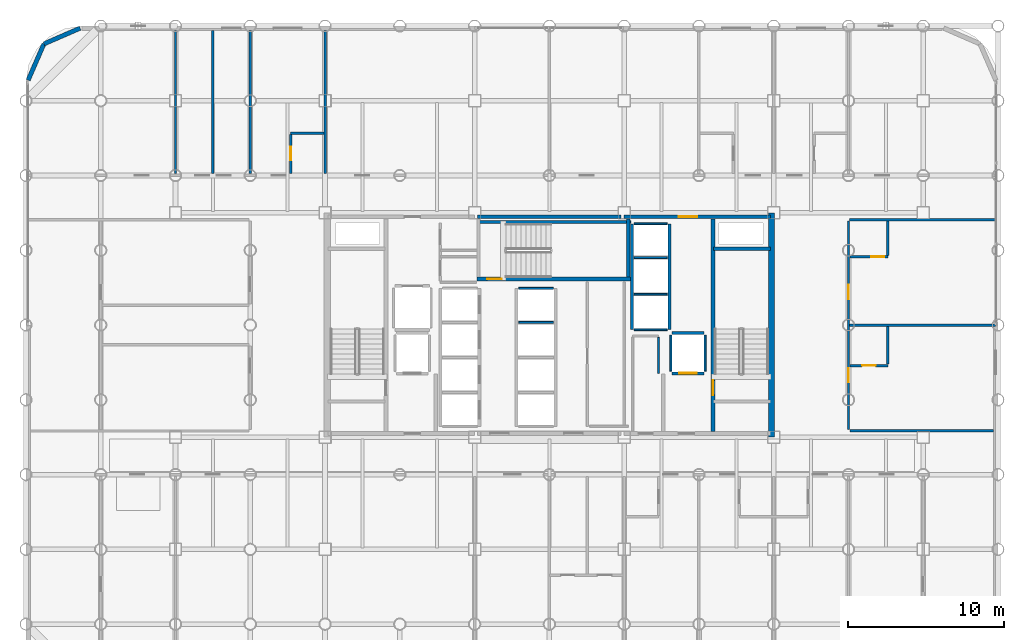
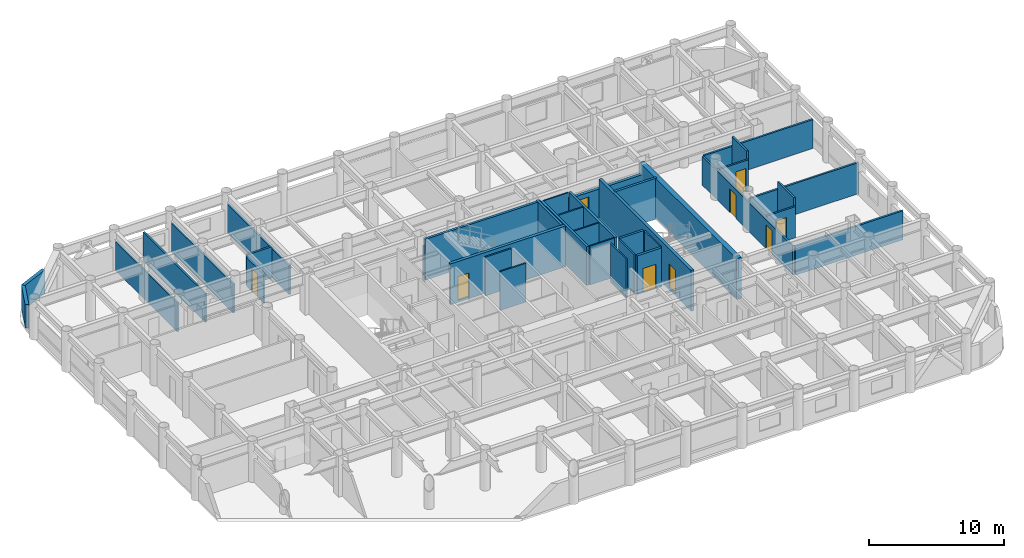
# One storey, part 18 of 22: 37 walls, 9 doors, 9 openings.
"""IFC4 building model written with IfcOpenShell, lengths in metres."""

from ifc_helpers import new_model, si_unit, direction, frame, frame_2d, origin, place, context, subcontext, project, spatial, rectangle, extrude, material, layer, layer_set, type_object, element, fill, save


model = new_model("IFC4")

# Units and contexts
model_context = context("Model", 3, precision=1e-05, world=origin(), true_north=direction((0.0, 1.0)))
body_context = subcontext(model_context, "Body", "Model", "MODEL_VIEW")
ifc_project = project(units=[si_unit("LENGTHUNIT", "METRE"), si_unit("AREAUNIT", "SQUARE_METRE"), si_unit("VOLUMEUNIT", "CUBIC_METRE"), si_unit("PLANEANGLEUNIT", "RADIAN"), si_unit("MASSUNIT", "GRAM", prefix="KILO")], contexts=[model_context])

# Site, building, storey
site_placement = place(None, origin())
site = spatial("IfcSite", under=ifc_project, at=site_placement, CompositionType="ELEMENT")
building_placement = place(site_placement, origin())
building = spatial("IfcBuilding", under=site, at=building_placement, Name="Kallvorn Hotel Tower", CompositionType="ELEMENT")
storey_placement = place(building_placement, frame((0.0, 0.0, 48.5)))
storey = spatial("IfcBuildingStorey", under=building, at=storey_placement, Name="L10", CompositionType="ELEMENT", Elevation=48.5)

# Walls
ifc_material_1 = material(Name="Concrete C50/60", Category="concrete")
ifc_layer_1 = layer(ifc_material_1, 0.39990234375)
ifc_layer_set_1 = layer_set([ifc_layer_1], Name="WL_CORE_400")
wall_type_1 = type_object("IfcWallType", Name="WL_CORE_400", PredefinedType="SHEAR", material=ifc_layer_set_1)
wall_1_placement = place(storey_placement, frame((14.264892578125, -7.199951171875, -0.179931640625), z_axis=(0.0, 0.0, 1.0), x_axis=(0.0, 1.0, 0.0)))
element("IfcWall", 1, at=wall_1_placement, inside=storey, type_object=wall_type_1, Name="L10 Core East Shear Wall", PredefinedType="SHEAR", context=body_context, shape_type="SweptSolid", body=[
    extrude(rectangle(XDim=14.39990234375, YDim=0.39990234375, at=frame_2d((7.199951171875, 0.0))), origin(), (0.0, 0.0, 1.0), 3.699951171875),
])
ifc_material_2 = material(Name="Fire-rated double-layer acoustic gypsum drywall EI 60")
ifc_layer_2 = layer(ifc_material_2, 0.159912109375)
ifc_layer_set_2 = layer_set([ifc_layer_2], Name="WL_DEMISE_160")
wall_type_2 = type_object("IfcWallType", Name="WL_DEMISE_160", PredefinedType="PARTITIONING", material=ifc_layer_set_2)
wall_2_placement = place(storey_placement, frame((19.280029296875, -6.800048828125, 0.0), z_axis=(0.0, 0.0, 1.0), x_axis=(1.0, 0.0, 0.0)))
element("IfcWall", 2, at=wall_2_placement, inside=storey, type_object=wall_type_2, Name="L10 Suite 1001 E Loggia King Room Partition", PredefinedType="PARTITIONING", context=body_context, shape_type="SweptSolid", body=[
    extrude(rectangle(XDim=9.22998046875, YDim=0.159912109375, at=frame_2d((4.614990234375, 0.0))), origin(), (0.0, 0.0, 1.0), 2.6201171875),
])

# Wall, opening, door
wall_3_placement = place(storey_placement, frame((19.280029296875, -2.60009765625, 0.0), z_axis=(0.0, 0.0, 1.0), x_axis=(1.0, 0.0, 0.0)))
wall_3 = element("IfcWall", 3, at=wall_3_placement, inside=storey, type_object=wall_type_2, Name="L10 Suite 1001 E Loggia King Room Partition", PredefinedType="PARTITIONING", context=body_context, shape_type="SweptSolid", body=[
    extrude(rectangle(XDim=2.449951171875, YDim=0.159912109375, at=frame_2d((1.22509765625, 0.0))), origin(), (0.0, 0.0, 1.0), 2.820068359375),
])
opening_1_placement = place(wall_3_placement, frame((0.794921875, 0.0, 0.0)))
opening_1 = element("IfcOpeningElement", 4, at=opening_1_placement, cuts=wall_3, Name="Opening BD-I", PredefinedType="OPENING", context=body_context, shape_type="SweptSolid", body=[
    extrude(rectangle(XDim=0.860107421875, YDim=2.10009765625, at=frame_2d((0.43017578125, 1.050048828125))), frame((0.0, 0.094970703125, 0.0), z_axis=(0.0, -1.0, 0.0), x_axis=(1.0, 0.0, 0.0)), (0.0, 0.0, 1.0), 0.18994140625),
])
ifc_material_3 = material(Name="Solid-core walnut veneer fire-rated timber door leaf", Category="wood")
door_type_1 = type_object("IfcDoorType", Name="DR_BATH_860x2100", OperationType="NOTDEFINED", PredefinedType="DOOR", material=ifc_material_3)
door_1_placement = place(opening_1_placement, origin())
door_1 = element("IfcDoor", 5, at=door_1_placement, inside=storey, type_object=door_type_1, Name="L10 Suite 1001 En-Suite Bathroom Door", OperationType="SINGLE_SWING_RIGHT", OverallHeight=2.10009765625, OverallWidth=0.860107421875, PredefinedType="DOOR", context=body_context, shape_type="SweptSolid", body=[
    extrude(rectangle(XDim=0.860107421875, YDim=2.10009765625, at=frame_2d((0.43017578125, 1.050048828125))), frame((0.0, 0.02490234375, 0.0), z_axis=(0.0, -1.0, 0.0), x_axis=(1.0, 0.0, 0.0)), (0.0, 0.0, 1.0), 0.050048828125),
])
fill(opening_1, door_1)

# Wall
wall_4_placement = place(storey_placement, frame((19.280029296875, 0.0, 0.0), z_axis=(0.0, 0.0, 1.0), x_axis=(1.0, 0.0, 0.0)))
element("IfcWall", 6, at=wall_4_placement, inside=storey, type_object=wall_type_2, Name="L10 Suite 1002 E Andean Twin Room Partition", PredefinedType="PARTITIONING", context=body_context, shape_type="SweptSolid", body=[
    extrude(rectangle(XDim=9.349853515625, YDim=0.159912109375, at=frame_2d((4.6748046875, 0.0))), origin(), (0.0, 0.0, 1.0), 2.820068359375),
])

# Wall, opening, door
wall_5_placement = place(storey_placement, frame((19.280029296875, 4.38330078125, 0.0), z_axis=(0.0, 0.0, 1.0), x_axis=(1.0, 0.0, 0.0)))
wall_5 = element("IfcWall", 7, at=wall_5_placement, inside=storey, type_object=wall_type_2, Name="L10 Suite 1002 E Andean Twin Room Partition", PredefinedType="PARTITIONING", context=body_context, shape_type="SweptSolid", body=[
    extrude(rectangle(XDim=2.449951171875, YDim=0.159912109375, at=frame_2d((1.22509765625, 0.0))), origin(), (0.0, 0.0, 1.0), 2.820068359375),
])
opening_2_placement = place(wall_5_placement, frame((1.3701171875, 0.0, 0.0)))
opening_2 = element("IfcOpeningElement", 8, at=opening_2_placement, cuts=wall_5, Name="Opening BD-I", PredefinedType="OPENING", context=body_context, shape_type="SweptSolid", body=[
    extrude(rectangle(XDim=0.860107421875, YDim=2.10009765625, at=frame_2d((0.43017578125, 1.050048828125))), frame((0.0, 0.094970703125, 0.0), z_axis=(0.0, -1.0, 0.0), x_axis=(1.0, 0.0, 0.0)), (0.0, 0.0, 1.0), 0.18994140625),
])
door_2_placement = place(opening_2_placement, origin())
door_2 = element("IfcDoor", 9, at=door_2_placement, inside=storey, type_object=door_type_1, Name="L10 Suite 1002 En-Suite Bathroom Door", OperationType="SINGLE_SWING_LEFT", OverallHeight=2.10009765625, OverallWidth=0.860107421875, PredefinedType="DOOR", context=body_context, shape_type="SweptSolid", body=[
    extrude(rectangle(XDim=0.860107421875, YDim=2.10009765625, at=frame_2d((0.43017578125, 1.050048828125))), frame((0.0, 0.02490234375, 0.0), z_axis=(0.0, -1.0, 0.0), x_axis=(1.0, 0.0, 0.0)), (0.0, 0.0, 1.0), 0.050048828125),
])
fill(opening_2, door_2)

# Walls
wall_6_placement = place(storey_placement, frame((19.280029296875, 6.75, 0.0), z_axis=(0.0, 0.0, 1.0), x_axis=(1.0, 0.0, 0.0)))
element("IfcWall", 10, at=wall_6_placement, inside=storey, type_object=wall_type_2, Name="L10 Suite 1002 E Andean Twin Room Partition", PredefinedType="PARTITIONING", context=body_context, shape_type="SweptSolid", body=[
    extrude(rectangle(XDim=9.349853515625, YDim=0.159912109375, at=frame_2d((4.6748046875, 0.0))), origin(), (0.0, 0.0, 1.0), 2.6201171875),
])
wall_7_placement = place(storey_placement, frame((-16.610107421875, 12.320068359375, 0.0), z_axis=(0.0, 0.0, 1.0), x_axis=(1.0, 0.0, 0.0)))
element("IfcWall", 11, at=wall_7_placement, inside=storey, type_object=wall_type_2, Name="L10 Suite 1007 Standard Twin Room Partition", PredefinedType="PARTITIONING", context=body_context, shape_type="SweptSolid", body=[
    extrude(rectangle(XDim=2.130126953125, YDim=0.159912109375, at=frame_2d((1.06494140625, 0.0))), origin(), (0.0, 0.0, 1.0), 2.820068359375),
])
wall_8_placement = place(storey_placement, frame((-19.199951171875, 9.719970703125, 0.0), z_axis=(0.0, 0.0, 1.0), x_axis=(0.0, 1.0, 0.0)))
element("IfcWall", 12, at=wall_8_placement, inside=storey, type_object=wall_type_2, Name="L10 Suite 1007 Standard Twin Room Partition", PredefinedType="PARTITIONING", context=body_context, shape_type="SweptSolid", body=[
    extrude(rectangle(XDim=9.18994140625, YDim=0.159912109375, at=frame_2d((4.594970703125, 0.0))), origin(), (0.0, 0.0, 1.0), 2.6201171875),
])

# Wall, opening, door
wall_9_placement = place(storey_placement, frame((-16.610107421875, 9.719970703125, 0.0), z_axis=(0.0, 0.0, 1.0), x_axis=(0.0, 1.0, 0.0)))
wall_9 = element("IfcWall", 13, at=wall_9_placement, inside=storey, type_object=wall_type_2, Name="L10 Suite 1007 Standard Twin Room Partition", PredefinedType="PARTITIONING", context=body_context, shape_type="SweptSolid", body=[
    extrude(rectangle(XDim=2.51513671875, YDim=0.159912109375, at=frame_2d((1.257568359375, 0.0))), origin(), (0.0, 0.0, 1.0), 2.6201171875),
])
opening_3_placement = place(wall_9_placement, frame((0.8701171875, 0.0, 0.0)))
opening_3 = element("IfcOpeningElement", 14, at=opening_3_placement, cuts=wall_9, Name="Opening BD-I", PredefinedType="OPENING", context=body_context, shape_type="SweptSolid", body=[
    extrude(rectangle(XDim=0.860107421875, YDim=2.10009765625, at=frame_2d((0.43017578125, 1.050048828125))), frame((0.0, 0.094970703125, 0.0), z_axis=(0.0, -1.0, 0.0), x_axis=(1.0, 0.0, 0.0)), (0.0, 0.0, 1.0), 0.18994140625),
])
door_3_placement = place(opening_3_placement, origin())
door_3 = element("IfcDoor", 15, at=door_3_placement, inside=storey, type_object=door_type_1, Name="L10 Suite 1007 En-Suite Bathroom Door", OperationType="SINGLE_SWING_RIGHT", OverallHeight=2.10009765625, OverallWidth=0.860107421875, PredefinedType="DOOR", context=body_context, shape_type="SweptSolid", body=[
    extrude(rectangle(XDim=0.860107421875, YDim=2.10009765625, at=frame_2d((0.43017578125, 1.050048828125))), frame((0.0, 0.02490234375, 0.0), z_axis=(0.0, -1.0, 0.0), x_axis=(1.0, 0.0, 0.0)), (0.0, 0.0, 1.0), 0.050048828125),
])
fill(opening_3, door_3)

# Wall
wall_10_placement = place(storey_placement, frame((-14.39990234375, 9.719970703125, 0.0), z_axis=(0.0, 0.0, 1.0), x_axis=(0.0, 1.0, 0.0)))
element("IfcWall", 16, at=wall_10_placement, inside=storey, type_object=wall_type_2, Name="L10 Suite 1007 Standard Twin Room Partition", PredefinedType="PARTITIONING", context=body_context, shape_type="SweptSolid", body=[
    extrude(rectangle(XDim=9.18994140625, YDim=0.159912109375, at=frame_2d((4.594970703125, 0.0))), origin(), (0.0, 0.0, 1.0), 2.6201171875),
])

# Wall, openings, doors
wall_11_placement = place(storey_placement, frame((19.199951171875, -6.715087890625, 0.0), z_axis=(0.0, 0.0, 1.0), x_axis=(0.0, 1.0, 0.0)))
wall_11 = element("IfcWall", 17, at=wall_11_placement, inside=storey, type_object=wall_type_2, Name="L10 Suite 1001 E Loggia King Room Partition", PredefinedType="PARTITIONING", context=body_context, shape_type="SweptSolid", body=[
    extrude(rectangle(XDim=13.380126953125, YDim=0.159912109375, at=frame_2d((6.68994140625, 0.0))), origin(), (0.0, 0.0, 1.0), 2.6201171875),
])
opening_4_placement = place(wall_11_placement, frame((3.034912109375, 0.0, 0.0)))
opening_4 = element("IfcOpeningElement", 18, at=opening_4_placement, cuts=wall_11, Name="Opening GD1", PredefinedType="OPENING", context=body_context, shape_type="SweptSolid", body=[
    extrude(rectangle(XDim=0.919921875, YDim=2.14990234375, at=frame_2d((0.4599609375, 1.074951171875))), frame((0.0, 0.094970703125, 0.0), z_axis=(0.0, -1.0, 0.0), x_axis=(1.0, 0.0, 0.0)), (0.0, 0.0, 1.0), 0.18994140625),
])
opening_5_placement = place(wall_11_placement, frame((8.385009765625, 0.0, 0.0)))
opening_5 = element("IfcOpeningElement", 19, at=opening_5_placement, cuts=wall_11, Name="Opening GD1", PredefinedType="OPENING", context=body_context, shape_type="SweptSolid", body=[
    extrude(rectangle(XDim=0.919921875, YDim=2.14990234375, at=frame_2d((0.4599609375, 1.074951171875))), frame((0.0, 0.094970703125, 0.0), z_axis=(0.0, -1.0, 0.0), x_axis=(1.0, 0.0, 0.0)), (0.0, 0.0, 1.0), 0.18994140625),
])
ifc_material_4 = material(Name="Solid-core walnut veneer fire-rated timber door leaf", Category="wood")
door_type_2 = type_object("IfcDoorType", Name="DR_GUEST_920x2150", OperationType="NOTDEFINED", PredefinedType="DOOR", material=ifc_material_4)
door_4_placement = place(opening_4_placement, origin())
door_4 = element("IfcDoor", 20, at=door_4_placement, inside=storey, type_object=door_type_2, Name="L10 Suite 1001 E Loggia King Room Door", OperationType="SINGLE_SWING_LEFT", OverallHeight=2.14990234375, OverallWidth=0.919921875, PredefinedType="DOOR", context=body_context, shape_type="SweptSolid", body=[
    extrude(rectangle(XDim=0.919921875, YDim=2.14990234375, at=frame_2d((0.4599609375, 1.074951171875))), frame((0.0, 0.02490234375, 0.0), z_axis=(0.0, -1.0, 0.0), x_axis=(1.0, 0.0, 0.0)), (0.0, 0.0, 1.0), 0.050048828125),
])
fill(opening_4, door_4)
door_5_placement = place(opening_5_placement, origin())
door_5 = element("IfcDoor", 21, at=door_5_placement, inside=storey, type_object=door_type_2, Name="L10 Suite 1002 E Andean Twin Room Door", OperationType="SINGLE_SWING_LEFT", OverallHeight=2.14990234375, OverallWidth=0.919921875, PredefinedType="DOOR", context=body_context, shape_type="SweptSolid", body=[
    extrude(rectangle(XDim=0.919921875, YDim=2.14990234375, at=frame_2d((0.4599609375, 1.074951171875))), frame((0.0, 0.02490234375, 0.0), z_axis=(0.0, -1.0, 0.0), x_axis=(1.0, 0.0, 0.0)), (0.0, 0.0, 1.0), 0.050048828125),
])
fill(opening_5, door_5)

# Walls
wall_12_placement = place(storey_placement, frame((21.72998046875, -2.514892578125, 0.0), z_axis=(0.0, 0.0, 1.0), x_axis=(0.0, 1.0, 0.0)))
element("IfcWall", 22, at=wall_12_placement, inside=storey, type_object=wall_type_2, Name="L10 Suite 1001 E Loggia King Room Partition", PredefinedType="PARTITIONING", context=body_context, shape_type="SweptSolid", body=[
    extrude(rectangle(XDim=2.414794921875, YDim=0.159912109375, at=frame_2d((1.20751953125, 0.0))), origin(), (0.0, 0.0, 1.0), 3.52001953125),
])
wall_13_placement = place(storey_placement, frame((21.72998046875, 4.46826171875, 0.0), z_axis=(0.0, 0.0, 1.0), x_axis=(0.0, 1.0, 0.0)))
element("IfcWall", 23, at=wall_13_placement, inside=storey, type_object=wall_type_2, Name="L10 Suite 1002 E Andean Twin Room Partition", PredefinedType="PARTITIONING", context=body_context, shape_type="SweptSolid", body=[
    extrude(rectangle(XDim=2.19677734375, YDim=0.159912109375, at=frame_2d((1.098388671875, 0.0))), origin(), (0.0, 0.0, 1.0), 3.52001953125),
])
ifc_material_5 = material(Name="Precast basalt-clad insulated concrete wall C40/50", Category="masonry")
ifc_layer_3 = layer(ifc_material_5, 0.280029296875)
ifc_layer_set_3 = layer_set([ifc_layer_3], Name="WL_EXT_LOGGIA_280")
wall_type_3 = type_object("IfcWallType", Name="WL_EXT_LOGGIA_280", PredefinedType="SOLIDWALL", material=ifc_layer_set_3)
wall_14_placement = place(storey_placement, frame((-30.120849609375, 19.057861328125, 0.0), z_axis=(0.0, 0.0, 1.0), x_axis=(-0.917060872934, -0.398747232384, 0.0)))
element("IfcWall", 24, at=wall_14_placement, inside=storey, type_object=wall_type_3, Name="L10 Rounded Corner Exterior Wall NW1", PredefinedType="SOLIDWALL", context=body_context, shape_type="SweptSolid", body=[
    extrude(rectangle(XDim=2.5361328125, YDim=0.280029296875, at=frame_2d((1.26806640625, 0.0))), origin(), (0.0, 0.0, 1.0), 2.1201171875),
])
wall_15_placement = place(storey_placement, frame((-32.446533203125, 18.046630859375, 0.0), z_axis=(0.0, 0.0, 1.0), x_axis=(-0.398792985289, -0.917040977756, 0.0)))
element("IfcWall", 25, at=wall_15_placement, inside=storey, type_object=wall_type_3, Name="L10 Rounded Corner Exterior Wall NW2", PredefinedType="SOLIDWALL", context=body_context, shape_type="SweptSolid", body=[
    extrude(rectangle(XDim=2.536376953125, YDim=0.280029296875, at=frame_2d((1.26806640625, 0.0))), origin(), (0.0, 0.0, 1.0), 2.1201171875),
])
ifc_material_6 = material(Name="Concrete C40/50", Category="concrete")
ifc_layer_4 = layer(ifc_material_6, 0.199951171875)
ifc_layer_set_4 = layer_set([ifc_layer_4], Name="WL_HOIST_200")
wall_type_4 = type_object("IfcWallType", Name="WL_HOIST_200", PredefinedType="SOLIDWALL", material=ifc_layer_set_4)
wall_16_placement = place(storey_placement, frame((10.550048828125, 4.89990234375, -0.179931640625), z_axis=(0.0, 0.0, 1.0), x_axis=(1.0, 0.0, 0.0)))
element("IfcWall", 26, at=wall_16_placement, inside=storey, type_object=wall_type_4, Name="L10 Stair ST2 North Wall", PredefinedType="SOLIDWALL", context=body_context, shape_type="SweptSolid", body=[
    extrude(rectangle(XDim=3.64990234375, YDim=0.199951171875, at=frame_2d((1.824951171875, 0.0))), origin(), (0.0, 0.0, 1.0), 3.699951171875),
])
wall_17_placement = place(storey_placement, frame((-4.64990234375, 6.610107421875, -0.179931640625), z_axis=(0.0, 0.0, 1.0), x_axis=(1.0, 0.0, 0.0)))
element("IfcWall", 27, at=wall_17_placement, inside=storey, type_object=wall_type_4, Name="L10 Stair ST3 Shaft North Wall", PredefinedType="SOLIDWALL", context=body_context, shape_type="SweptSolid", body=[
    extrude(rectangle(XDim=9.89990234375, YDim=0.199951171875, at=frame_2d((4.949951171875, 0.0))), origin(), (0.0, 0.0, 1.0), 3.699951171875),
])
wall_18_placement = place(storey_placement, frame((5.06005859375, 3.080078125, -0.179931640625), z_axis=(0.0, 0.0, 1.0), x_axis=(0.0, 1.0, 0.0)))
element("IfcWall", 28, at=wall_18_placement, inside=storey, type_object=wall_type_4, Name="L10 Stair ST3 East Wall", PredefinedType="SOLIDWALL", context=body_context, shape_type="SweptSolid", body=[
    extrude(rectangle(XDim=3.739990234375, YDim=0.199951171875, at=frame_2d((1.8701171875, 0.0))), origin(), (0.0, 0.0, 1.0), 3.699951171875),
])
for number, where, z_axis, x_axis, name in (
    (29, (7.699951171875, -0.300048828125, 0.0), (0.0, 0.0, 1.0), (0.0, 1.0, 0.0), "L10 Lift Bank OBS Landing Wall"),
    (30, (5.300048828125, -0.300048828125, 0.0), (0.0, 0.0, 1.0), (0.0, 1.0, 0.0), "L10 Lift Bank OBS Rear Shaft Wall"),
):
    element("IfcWall", number, at=place(storey_placement, frame(where, z_axis=z_axis, x_axis=x_axis)), inside=storey, type_object=wall_type_4, Name=name, PredefinedType="SOLIDWALL", context=body_context, shape_type="SweptSolid", body=[
        extrude(rectangle(XDim=6.800048828125, YDim=0.199951171875, at=frame_2d((3.39990234375, 0.0))), origin(), (0.0, 0.0, 1.0), 3.52001953125),
    ])

# Wall, opening, door
wall_19_placement = place(storey_placement, frame((7.8798828125, -3.10009765625, 0.0), z_axis=(0.0, 0.0, 1.0), x_axis=(1.0, 0.0, 0.0)))
wall_19 = element("IfcWall", 31, at=wall_19_placement, inside=storey, type_object=wall_type_4, Name="L10 FL-2 Landing Wall", PredefinedType="SOLIDWALL", context=body_context, shape_type="SweptSolid", body=[
    extrude(rectangle(XDim=2.0400390625, YDim=0.199951171875, at=frame_2d((1.02001953125, 0.0))), origin(), (0.0, 0.0, 1.0), 3.52001953125),
])
opening_6_placement = place(wall_19_placement, frame((0.469970703125, 0.0, 0.0)))
opening_6 = element("IfcOpeningElement", 32, at=opening_6_placement, cuts=wall_19, Name="Opening LD-FL-2", PredefinedType="OPENING", context=body_context, shape_type="SweptSolid", body=[
    extrude(rectangle(XDim=1.10009765625, YDim=2.199951171875, at=frame_2d((0.550048828125, 1.10009765625))), frame((0.0, 0.114990234375, 0.0), z_axis=(0.0, -1.0, 0.0), x_axis=(1.0, 0.0, 0.0)), (0.0, 0.0, 1.0), 0.22998046875),
])
ifc_material_7 = material(Name="Brushed stainless-steel automatic sliding lift landing door", Category="steel")
door_type_3 = type_object("IfcDoorType", Name="LD_PASS_1100x2200", OperationType="SLIDING_TO_LEFT", PredefinedType="DOOR", material=ifc_material_7)
door_6_placement = place(opening_6_placement, origin())
door_6 = element("IfcDoor", 33, at=door_6_placement, inside=storey, type_object=door_type_3, Name="L10 Lift Landing Sliding Door LD-FL-2", OperationType="SLIDING_TO_LEFT", OverallHeight=2.199951171875, OverallWidth=1.10009765625, PredefinedType="DOOR", context=body_context, shape_type="SweptSolid", body=[
    extrude(rectangle(XDim=1.10009765625, YDim=2.199951171875, at=frame_2d((0.550048828125, 1.10009765625))), frame((0.0, 0.02490234375, 0.0), z_axis=(0.0, -1.0, 0.0), x_axis=(1.0, 0.0, 0.0)), (0.0, 0.0, 1.0), 0.050048828125),
])
fill(opening_6, door_6)

# Walls
wall_20_placement = place(storey_placement, frame((7.8798828125, -0.5, 0.0), z_axis=(0.0, 0.0, 1.0), x_axis=(1.0, 0.0, 0.0)))
element("IfcWall", 34, at=wall_20_placement, inside=storey, type_object=wall_type_4, Name="L10 FL-2 Rear Shaft Wall", PredefinedType="SOLIDWALL", context=body_context, shape_type="SweptSolid", body=[
    extrude(rectangle(XDim=2.0400390625, YDim=0.199951171875, at=frame_2d((1.02001953125, 0.0))), origin(), (0.0, 0.0, 1.0), 3.52001953125),
])
ifc_material_8 = material(Name="Fire-rated double-layer acoustic gypsum drywall EI 60")
ifc_layer_5 = layer(ifc_material_8, 0.1201171875)
ifc_layer_set_5 = layer_set([ifc_layer_5], Name="WL_INT_120")
wall_type_5 = type_object("IfcWallType", Name="WL_INT_120", PredefinedType="PARTITIONING", material=ifc_layer_set_5)
for number, where, z_axis, x_axis, name in (
    (35, (-1.9599609375, 0.175048828125, 0.0), (0.0, 0.0, 1.0), (1.0, 0.0, 0.0), "L10 PL-07 Hoistway Divider"),
    (36, (-1.9599609375, 2.35009765625, 0.0), (0.0, 0.0, 1.0), (1.0, 0.0, 0.0), "L10 PL-08 Hoistway Divider"),
):
    element("IfcWall", number, at=place(storey_placement, frame(where, z_axis=z_axis, x_axis=x_axis)), inside=storey, type_object=wall_type_5, Name=name, PredefinedType="PARTITIONING", context=body_context, shape_type="SweptSolid", body=[
        extrude(rectangle(XDim=2.219970703125, YDim=0.1201171875, at=frame_2d((1.10986328125, 0.0))), origin(), (0.0, 0.0, 1.0), 3.52001953125),
    ])
for number, where, z_axis, x_axis, name in (
    (37, (5.43994140625, -0.300048828125, 0.0), (0.0, 0.0, 1.0), (1.0, 0.0, 0.0), "L10 Lift Bank OBS South Closure Wall"),
    (38, (5.43994140625, 1.97509765625, 0.0), (0.0, 0.0, 1.0), (1.0, 0.0, 0.0), "L10 OB-01 Hoistway Divider"),
    (39, (5.43994140625, 4.324951171875, 0.0), (0.0, 0.0, 1.0), (1.0, 0.0, 0.0), "L10 OB-02 Hoistway Divider"),
    (40, (5.43994140625, 6.5, 0.0), (0.0, 0.0, 1.0), (1.0, 0.0, 0.0), "L10 OB-03 Hoistway Divider"),
):
    element("IfcWall", number, at=place(storey_placement, frame(where, z_axis=z_axis, x_axis=x_axis)), inside=storey, type_object=wall_type_5, Name=name, PredefinedType="PARTITIONING", context=body_context, shape_type="SweptSolid", body=[
        extrude(rectangle(XDim=2.1201171875, YDim=0.1201171875, at=frame_2d((1.06005859375, 0.0))), origin(), (0.0, 0.0, 1.0), 3.52001953125),
    ])
for number, where, z_axis, x_axis, name in (
    (41, (7.800048828125, -2.9599609375, 0.0), (0.0, 0.0, 1.0), (0.0, 1.0, 0.0), "L10 FL-2 West Shaft Wall"),
    (42, (10.0, -2.9599609375, 0.0), (0.0, 0.0, 1.0), (0.0, 1.0, 0.0), "L10 FL-2 East Shaft Wall"),
):
    element("IfcWall", number, at=place(storey_placement, frame(where, z_axis=z_axis, x_axis=x_axis)), inside=storey, type_object=wall_type_5, Name=name, PredefinedType="PARTITIONING", context=body_context, shape_type="SweptSolid", body=[
        extrude(rectangle(XDim=2.320068359375, YDim=0.1201171875, at=frame_2d((1.16015625, 0.0))), origin(), (0.0, 0.0, 1.0), 3.52001953125),
    ])
wall_21_placement = place(storey_placement, frame((7.006591796875, -3.110107421875, 0.0), z_axis=(0.0, 0.0, 1.0), x_axis=(0.0, 1.0, 0.0)))
element("IfcWall", 43, at=wall_21_placement, inside=storey, type_object=wall_type_5, Name="L10 Core Utility and Meter Room Partition", PredefinedType="PARTITIONING", context=body_context, shape_type="SweptSolid", body=[
    extrude(rectangle(XDim=2.3251953125, YDim=0.1201171875, at=frame_2d((1.16259765625, 0.0))), origin(), (0.0, 0.0, 1.0), 3.52001953125),
])
ifc_material_9 = material(Name="Fire-rated double-layer acoustic gypsum drywall EI 60")
ifc_layer_6 = layer(ifc_material_9, 0.14990234375)
ifc_layer_set_6 = layer_set([ifc_layer_6], Name="WL_PART_150")
wall_type_6 = type_object("IfcWallType", Name="WL_PART_150", PredefinedType="PARTITIONING", material=ifc_layer_set_6)
for number, where, z_axis, x_axis, name in (
    (44, (-24.0, 9.719970703125, 0.0), (0.0, 0.0, 1.0), (0.0, 1.0, 0.0), "L10 Housekeeping and Linen Room Partition"),
    (45, (-21.60009765625, 9.719970703125, 0.0), (0.0, 0.0, 1.0), (0.0, 1.0, 0.0), "L10 Guest Tea and Refreshment Bar Partition"),
):
    element("IfcWall", number, at=place(storey_placement, frame(where, z_axis=z_axis, x_axis=x_axis)), inside=storey, type_object=wall_type_6, Name=name, PredefinedType="PARTITIONING", context=body_context, shape_type="SweptSolid", body=[
        extrude(rectangle(XDim=9.18994140625, YDim=0.14990234375, at=frame_2d((4.594970703125, 0.0))), origin(), (0.0, 0.0, 1.0), 2.6201171875),
    ])
ifc_material_10 = material(Name="Concrete C40/50", Category="concrete")
ifc_layer_7 = layer(ifc_material_10, 0.25)
ifc_layer_set_7 = layer_set([ifc_layer_7], Name="WL_SHAFT_250")
wall_type_7 = type_object("IfcWallType", Name="WL_SHAFT_250", PredefinedType="SOLIDWALL", material=ifc_layer_set_7)
wall_22_placement = place(storey_placement, frame((-4.60009765625, 6.949951171875, 0.0), z_axis=(0.0, 0.0, 1.0), x_axis=(1.0, 0.0, 0.0)))
element("IfcWall", 46, at=wall_22_placement, inside=storey, type_object=wall_type_7, Name="L10 Core North-Central Wall", PredefinedType="SOLIDWALL", context=body_context, shape_type="SweptSolid", body=[
    extrude(rectangle(XDim=9.2001953125, YDim=0.25, at=frame_2d((4.60009765625, 0.0))), origin(), (0.0, 0.0, 1.0), 2.6201171875),
])

# Wall, opening, door
wall_23_placement = place(storey_placement, frame((4.800048828125, 6.949951171875, 0.0), z_axis=(0.0, 0.0, 1.0), x_axis=(1.0, 0.0, 0.0)))
wall_23 = element("IfcWall", 47, at=wall_23_placement, inside=storey, type_object=wall_type_7, Name="L10 Core North-East Wall", PredefinedType="SOLIDWALL", context=body_context, shape_type="SweptSolid", body=[
    extrude(rectangle(XDim=9.39990234375, YDim=0.25, at=frame_2d((4.699951171875, 0.0))), origin(), (0.0, 0.0, 1.0), 2.6201171875),
])
opening_7_placement = place(wall_23_placement, frame((3.5, 0.0, 0.0)))
opening_7 = element("IfcOpeningElement", 48, at=opening_7_placement, cuts=wall_23, Name="Opening FD2", PredefinedType="OPENING", context=body_context, shape_type="SweptSolid", body=[
    extrude(rectangle(XDim=1.199951171875, YDim=2.199951171875, at=frame_2d((0.60009765625, 1.10009765625))), frame((0.0, 0.139892578125, 0.0), z_axis=(0.0, -1.0, 0.0), x_axis=(1.0, 0.0, 0.0)), (0.0, 0.0, 1.0), 0.280029296875),
])
ifc_material_11 = material(Name="Galvanised painted steel fire-rated door assembly", Category="steel")
door_type_4 = type_object("IfcDoorType", Name="DR_LOBBY_1200x2200", OperationType="DOUBLE_DOOR_SINGLE_SWING", PredefinedType="DOOR", material=ifc_material_11)
door_7_placement = place(opening_7_placement, origin())
door_7 = element("IfcDoor", 49, at=door_7_placement, inside=storey, type_object=door_type_4, Name="L10 Observatory Shuttle Lobby Door", OperationType="DOUBLE_DOOR_SINGLE_SWING", OverallHeight=2.199951171875, OverallWidth=1.199951171875, PredefinedType="DOOR", context=body_context, shape_type="SweptSolid", body=[
    extrude(rectangle(XDim=1.199951171875, YDim=2.199951171875, at=frame_2d((0.60009765625, 1.10009765625))), frame((0.0, 0.02490234375, 0.0), z_axis=(0.0, -1.0, 0.0), x_axis=(1.0, 0.0, 0.0)), (0.0, 0.0, 1.0), 0.050048828125),
])
fill(opening_7, door_7)

wall_24_placement = place(storey_placement, frame((10.5, -6.820068359375, -0.179931640625), z_axis=(0.0, 0.0, 1.0), x_axis=(0.0, 1.0, 0.0)))
wall_24 = element("IfcWall", 50, at=wall_24_placement, inside=storey, type_object=wall_type_7, Name="L10 Stair ST2 Shaft Wall", PredefinedType="SOLIDWALL", context=body_context, shape_type="SweptSolid", body=[
    extrude(rectangle(XDim=13.64013671875, YDim=0.25, at=frame_2d((6.820068359375, 0.0))), origin(), (0.0, 0.0, 1.0), 3.699951171875),
])
opening_8_placement = place(wall_24_placement, frame((2.320068359375, 0.0, 0.179931640625)))
opening_8 = element("IfcOpeningElement", 51, at=opening_8_placement, cuts=wall_24, Name="Opening SD1", PredefinedType="OPENING", context=body_context, shape_type="SweptSolid", body=[
    extrude(rectangle(XDim=0.949951171875, YDim=2.14990234375, at=frame_2d((0.47509765625, 1.074951171875))), frame((0.0, 0.139892578125, 0.0), z_axis=(0.0, -1.0, 0.0), x_axis=(1.0, 0.0, 0.0)), (0.0, 0.0, 1.0), 0.280029296875),
])
ifc_material_12 = material(Name="Galvanised painted steel fire-rated door assembly", Category="steel")
door_type_5 = type_object("IfcDoorType", Name="DR_STAIR_950x2150", OperationType="NOTDEFINED", PredefinedType="DOOR", material=ifc_material_12)
door_8_placement = place(opening_8_placement, origin())
door_8 = element("IfcDoor", 52, at=door_8_placement, inside=storey, type_object=door_type_5, Name="L10 Exit Stair ST2 Fire Door", OperationType="SINGLE_SWING_LEFT", OverallHeight=2.14990234375, OverallWidth=0.949951171875, PredefinedType="DOOR", context=body_context, shape_type="SweptSolid", body=[
    extrude(rectangle(XDim=0.949951171875, YDim=2.14990234375, at=frame_2d((0.47509765625, 1.074951171875))), frame((0.0, 0.02490234375, 0.0), z_axis=(0.0, -1.0, 0.0), x_axis=(1.0, 0.0, 0.0)), (0.0, 0.0, 1.0), 0.050048828125),
])
fill(opening_8, door_8)

wall_25_placement = place(storey_placement, frame((-4.64990234375, 2.949951171875, -0.179931640625), z_axis=(0.0, 0.0, 1.0), x_axis=(1.0, 0.0, 0.0)))
wall_25 = element("IfcWall", 53, at=wall_25_placement, inside=storey, type_object=wall_type_7, Name="L10 Stair ST3 Shaft South Wall", PredefinedType="SOLIDWALL", context=body_context, shape_type="SweptSolid", body=[
    extrude(rectangle(XDim=9.89990234375, YDim=0.25, at=frame_2d((4.949951171875, 0.0))), origin(), (0.0, 0.0, 1.0), 3.699951171875),
])
opening_9_placement = place(wall_25_placement, frame((0.64990234375, 0.0, 0.179931640625)))
opening_9 = element("IfcOpeningElement", 54, at=opening_9_placement, cuts=wall_25, Name="Opening SD1", PredefinedType="OPENING", context=body_context, shape_type="SweptSolid", body=[
    extrude(rectangle(XDim=0.949951171875, YDim=2.14990234375, at=frame_2d((0.47509765625, 1.074951171875))), frame((0.0, 0.139892578125, 0.0), z_axis=(0.0, -1.0, 0.0), x_axis=(1.0, 0.0, 0.0)), (0.0, 0.0, 1.0), 0.280029296875),
])
door_9_placement = place(opening_9_placement, origin())
door_9 = element("IfcDoor", 55, at=door_9_placement, inside=storey, type_object=door_type_5, Name="L10 Exit Stair ST3 Fire Door", OperationType="SINGLE_SWING_RIGHT", OverallHeight=2.14990234375, OverallWidth=0.949951171875, PredefinedType="DOOR", context=body_context, shape_type="SweptSolid", body=[
    extrude(rectangle(XDim=0.949951171875, YDim=2.14990234375, at=frame_2d((0.47509765625, 1.074951171875))), frame((0.0, 0.02490234375, 0.0), z_axis=(0.0, -1.0, 0.0), x_axis=(1.0, 0.0, 0.0)), (0.0, 0.0, 1.0), 0.050048828125),
])
fill(opening_9, door_9)

save(model, "model.ifc")
